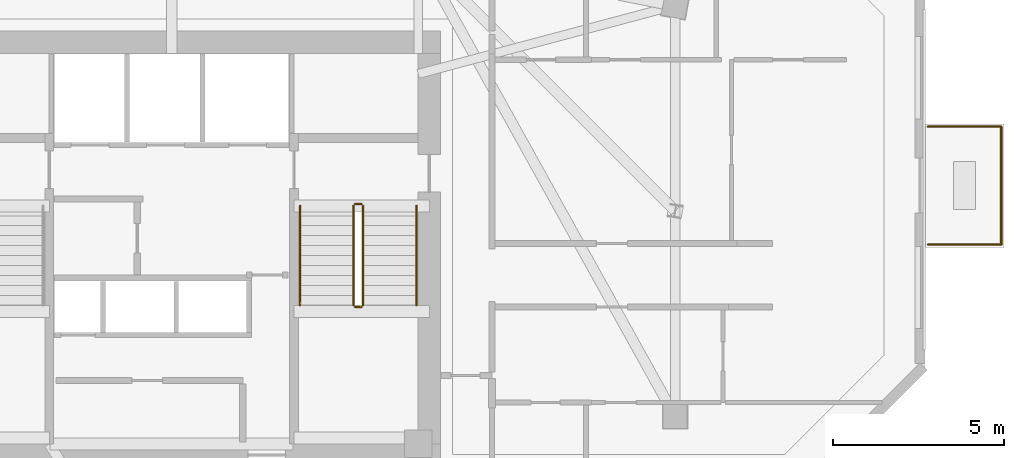
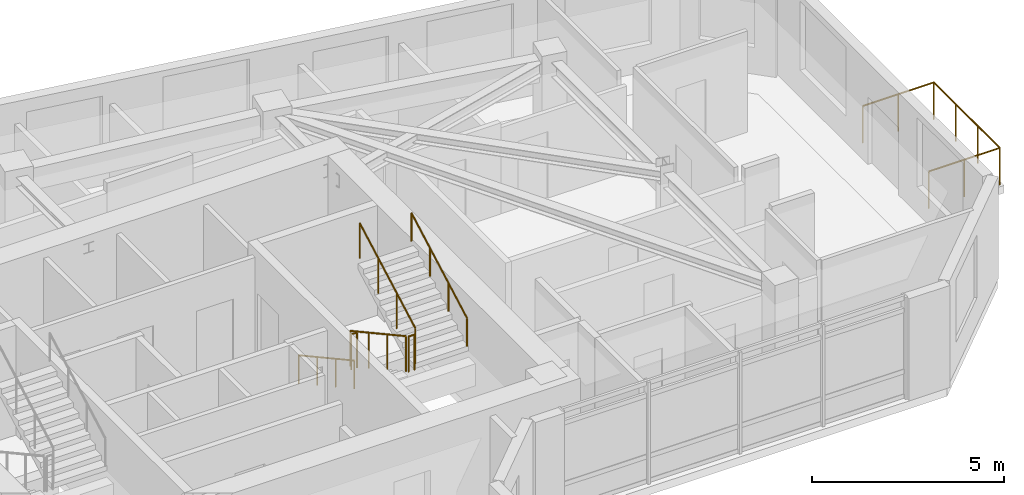
# One storey, part 10 of 10: 9 railings.
"""IFC4 building model written with IfcOpenShell, lengths in metres."""

from ifc_helpers import new_model, si_unit, direction, frame, origin, origin_2d, place, context, subcontext, project, spatial, circle, extrude, material, type_object, element, save


model = new_model("IFC4")

# Units and contexts
model_context = context("Model", 3, precision=1e-05, world=origin(), true_north=direction((0.0, 1.0)))
body_context = subcontext(model_context, "Body", "Model", "MODEL_VIEW")
ifc_project = project(units=[si_unit("LENGTHUNIT", "METRE"), si_unit("AREAUNIT", "SQUARE_METRE"), si_unit("VOLUMEUNIT", "CUBIC_METRE"), si_unit("PLANEANGLEUNIT", "RADIAN"), si_unit("MASSUNIT", "GRAM", prefix="KILO")], contexts=[model_context])

# Site, building, storey
site_placement = place(None, origin())
site = spatial("IfcSite", under=ifc_project, at=site_placement, CompositionType="ELEMENT")
building_placement = place(site_placement, origin())
building = spatial("IfcBuilding", under=site, at=building_placement, Name="Calvemar Wedge Station Tower", CompositionType="ELEMENT")
storey_placement = place(building_placement, frame((0.0, 0.0, 221.89990234375)))
storey = spatial("IfcBuildingStorey", under=building, at=storey_placement, Name="L56", CompositionType="ELEMENT", Elevation=221.89990234375)

# Railings
ifc_material_1 = material(Name="Stainless steel AISI 316L", Category="steel")
railing_type_1 = type_object("IfcRailingType", Name="GRD-TERR-1200", PredefinedType="GUARDRAIL", material=ifc_material_1)
railing_1_placement = place(storey_placement, frame((45.8798828125, 43.4619140625, 0.0)))
element("IfcRailing", 1, at=railing_1_placement, inside=storey, type_object=railing_type_1, Name="Storey L56 Spiral Terrace Guard 2", PredefinedType="GUARDRAIL", context=body_context, shape_type="SweptSolid", body=[
    extrude(circle(Radius=0.02392578125, at=origin_2d()), frame((0.0, 0.0, 1.17578125), z_axis=(1.0, 0.0, 0.0), x_axis=(0.0, 1.0, 0.0)), (0.0, 0.0, 1.0), 2.14013671875),
    extrude(circle(Radius=0.02099609375, at=origin_2d()), origin(), (0.0, 0.0, 1.0), 1.15185546875),
    extrude(circle(Radius=0.02099609375, at=origin_2d()), frame((1.070068359375, 0.0, 0.0)), (0.0, 0.0, 1.0), 1.15185546875),
    extrude(circle(Radius=0.02099609375, at=origin_2d()), frame((2.14013671875, 0.0, 0.0)), (0.0, 0.0, 1.0), 1.15185546875),
])
railing_2_placement = place(storey_placement, frame((48.02001953125, 43.4619140625, 0.0)))
element("IfcRailing", 2, at=railing_2_placement, inside=storey, type_object=railing_type_1, Name="Storey L56 Spiral Terrace Guard 3", PredefinedType="GUARDRAIL", context=body_context, shape_type="SweptSolid", body=[
    extrude(circle(Radius=0.02392578125, at=origin_2d()), frame((0.0, 0.0, 1.17578125), z_axis=(0.0, -1.0, 0.0), x_axis=(1.0, 0.0, 0.0)), (0.0, 0.0, 1.0), 3.43994140625),
    extrude(circle(Radius=0.02099609375, at=origin_2d()), origin(), (0.0, 0.0, 1.0), 1.15185546875),
    extrude(circle(Radius=0.02099609375, at=origin_2d()), frame((0.0, -1.146728515625, 0.0)), (0.0, 0.0, 1.0), 1.15185546875),
    extrude(circle(Radius=0.02099609375, at=origin_2d()), frame((0.0, -2.293212890625, 0.0)), (0.0, 0.0, 1.0), 1.15185546875),
    extrude(circle(Radius=0.02099609375, at=origin_2d()), frame((0.0, -3.43994140625, 0.0)), (0.0, 0.0, 1.0), 1.15185546875),
])
railing_3_placement = place(storey_placement, frame((48.02001953125, 40.02197265625, 0.0)))
element("IfcRailing", 3, at=railing_3_placement, inside=storey, type_object=railing_type_1, Name="Storey L56 Spiral Terrace Guard 4", PredefinedType="GUARDRAIL", context=body_context, shape_type="SweptSolid", body=[
    extrude(circle(Radius=0.02392578125, at=origin_2d()), frame((0.0, 0.0, 1.17578125), z_axis=(-1.0, 0.0, 0.0), x_axis=(0.0, -1.0, 0.0)), (0.0, 0.0, 1.0), 2.14013671875),
    extrude(circle(Radius=0.02099609375, at=origin_2d()), origin(), (0.0, 0.0, 1.0), 1.15185546875),
    extrude(circle(Radius=0.02099609375, at=origin_2d()), frame((-1.070068359375, 0.0, 0.0)), (0.0, 0.0, 1.0), 1.15185546875),
    extrude(circle(Radius=0.02099609375, at=origin_2d()), frame((-2.14013671875, 0.0, 0.0)), (0.0, 0.0, 1.0), 1.15185546875),
])
railing_type_2 = type_object("IfcRailingType", Name="RL-HANDRAIL-920", PredefinedType="HANDRAIL", material=ifc_material_1)
railing_4_placement = place(storey_placement, frame((27.550048828125, 41.14990234375, 0.1591796875)))
element("IfcRailing", 4, at=railing_4_placement, inside=storey, type_object=railing_type_2, Name="L56 ST-C2 stair handrail 1", PredefinedType="HANDRAIL", context=body_context, shape_type="SweptSolid", body=[
    extrude(circle(Radius=0.02392578125, at=origin_2d()), frame((0.0, 0.0, 0.89599609375), z_axis=(0.0, -0.876742130028, 0.480960744171), x_axis=(1.0, 0.0, 0.0)), (0.0, 0.0, 1.0), 3.3076171875),
    extrude(circle(Radius=0.02099609375, at=origin_2d()), origin(), (0.0, 0.0, 1.0), 0.871826171875),
    extrude(circle(Radius=0.02099609375, at=origin_2d()), frame((0.0, -0.966552734375, 0.5302734375)), (0.0, 0.0, 1.0), 0.871826171875),
    extrude(circle(Radius=0.02099609375, at=origin_2d()), frame((0.0, -1.933349609375, 1.060546875)), (0.0, 0.0, 1.0), 0.871826171875),
    extrude(circle(Radius=0.02099609375, at=origin_2d()), frame((0.0, -2.89990234375, 1.5908203125)), (0.0, 0.0, 1.0), 0.871826171875),
])
railing_5_placement = place(storey_placement, frame((30.949951171875, 38.25, 1.9091796875)))
element("IfcRailing", 5, at=railing_5_placement, inside=storey, type_object=railing_type_2, Name="L56 ST-C2 stair handrail 2", PredefinedType="HANDRAIL", context=body_context, shape_type="SweptSolid", body=[
    extrude(circle(Radius=0.02392578125, at=origin_2d()), frame((0.0, 0.0, 0.89599609375), z_axis=(0.0, 0.876742130028, 0.480960744171), x_axis=(-1.0, 0.0, 0.0)), (0.0, 0.0, 1.0), 3.3076171875),
    extrude(circle(Radius=0.02099609375, at=origin_2d()), origin(), (0.0, 0.0, 1.0), 0.871826171875),
    extrude(circle(Radius=0.02099609375, at=origin_2d()), frame((0.0, 0.966552734375, 0.5302734375)), (0.0, 0.0, 1.0), 0.871826171875),
    extrude(circle(Radius=0.02099609375, at=origin_2d()), frame((0.0, 1.933349609375, 1.060546875)), (0.0, 0.0, 1.0), 0.871826171875),
    extrude(circle(Radius=0.02099609375, at=origin_2d()), frame((0.0, 2.89990234375, 1.5908203125)), (0.0, 0.0, 1.0), 0.871826171875),
])
ifc_material_2 = material(Name="Painted steel guardrail ASTM A500 Grade C", Category="steel")
railing_type_3 = type_object("IfcRailingType", Name="RL-STAIR-GUARD-1150", PredefinedType="GUARDRAIL", material=ifc_material_2)
railing_6_placement = place(storey_placement, frame((29.110107421875, 41.14990234375, 0.1591796875)))
element("IfcRailing", 6, at=railing_6_placement, inside=storey, type_object=railing_type_3, Name="L56 ST-C2 stair guard 1", PredefinedType="GUARDRAIL", context=body_context, shape_type="SweptSolid", body=[
    extrude(circle(Radius=0.02392578125, at=origin_2d()), frame((0.0, 0.0, 1.1259765625), z_axis=(0.0, -0.876742130028, 0.480960744171), x_axis=(1.0, 0.0, 0.0)), (0.0, 0.0, 1.0), 3.3076171875),
    extrude(circle(Radius=0.02099609375, at=origin_2d()), origin(), (0.0, 0.0, 1.0), 1.101806640625),
    extrude(circle(Radius=0.02099609375, at=origin_2d()), frame((0.0, -0.966552734375, 0.5302734375)), (0.0, 0.0, 1.0), 1.101806640625),
    extrude(circle(Radius=0.02099609375, at=origin_2d()), frame((0.0, -1.933349609375, 1.060546875)), (0.0, 0.0, 1.0), 1.101806640625),
    extrude(circle(Radius=0.02099609375, at=origin_2d()), frame((0.0, -2.89990234375, 1.5908203125)), (0.0, 0.0, 1.0), 1.101806640625),
])
railing_7_placement = place(storey_placement, frame((29.159912109375, 38.199951171875, 1.75)))
element("IfcRailing", 7, at=railing_7_placement, inside=storey, type_object=railing_type_3, Name="L56 ST-C2 stair guard 2", PredefinedType="GUARDRAIL", context=body_context, shape_type="SweptSolid", body=[
    extrude(circle(Radius=0.02392578125, at=origin_2d()), frame((0.0, 0.0, 1.1259765625), z_axis=(1.0, 0.0, 0.0), x_axis=(0.0, 1.0, 0.0)), (0.0, 0.0, 1.0), 0.18017578125),
    extrude(circle(Radius=0.02099609375, at=origin_2d()), origin(), (0.0, 0.0, 1.0), 1.101806640625),
    extrude(circle(Radius=0.02099609375, at=origin_2d()), frame((0.18017578125, 0.0, 0.0)), (0.0, 0.0, 1.0), 1.101806640625),
])
railing_8_placement = place(storey_placement, frame((29.389892578125, 38.25, 1.9091796875)))
element("IfcRailing", 8, at=railing_8_placement, inside=storey, type_object=railing_type_3, Name="L56 ST-C2 stair guard 3", PredefinedType="GUARDRAIL", context=body_context, shape_type="SweptSolid", body=[
    extrude(circle(Radius=0.02392578125, at=origin_2d()), frame((0.0, 0.0, 1.1259765625), z_axis=(0.0, 0.876742130028, 0.480960744171), x_axis=(-1.0, 0.0, 0.0)), (0.0, 0.0, 1.0), 3.3076171875),
    extrude(circle(Radius=0.02099609375, at=origin_2d()), origin(), (0.0, 0.0, 1.0), 1.101806640625),
    extrude(circle(Radius=0.02099609375, at=origin_2d()), frame((0.0, 0.966552734375, 0.5302734375)), (0.0, 0.0, 1.0), 1.101806640625),
    extrude(circle(Radius=0.02099609375, at=origin_2d()), frame((0.0, 1.933349609375, 1.060546875)), (0.0, 0.0, 1.0), 1.101806640625),
    extrude(circle(Radius=0.02099609375, at=origin_2d()), frame((0.0, 2.89990234375, 1.5908203125)), (0.0, 0.0, 1.0), 1.101806640625),
])
railing_9_placement = place(storey_placement, frame((29.159912109375, 41.199951171875, 0.0)))
element("IfcRailing", 9, at=railing_9_placement, inside=storey, type_object=railing_type_3, Name="L56 ST-C2 stair guard 4", PredefinedType="GUARDRAIL", context=body_context, shape_type="SweptSolid", body=[
    extrude(circle(Radius=0.02392578125, at=origin_2d()), frame((0.0, 0.0, 1.1259765625), z_axis=(1.0, 0.0, 0.0), x_axis=(0.0, 1.0, 0.0)), (0.0, 0.0, 1.0), 0.18017578125),
    extrude(circle(Radius=0.02099609375, at=origin_2d()), origin(), (0.0, 0.0, 1.0), 1.101806640625),
    extrude(circle(Radius=0.02099609375, at=origin_2d()), frame((0.18017578125, 0.0, 0.0)), (0.0, 0.0, 1.0), 1.101806640625),
])

save(model, "model.ifc")
